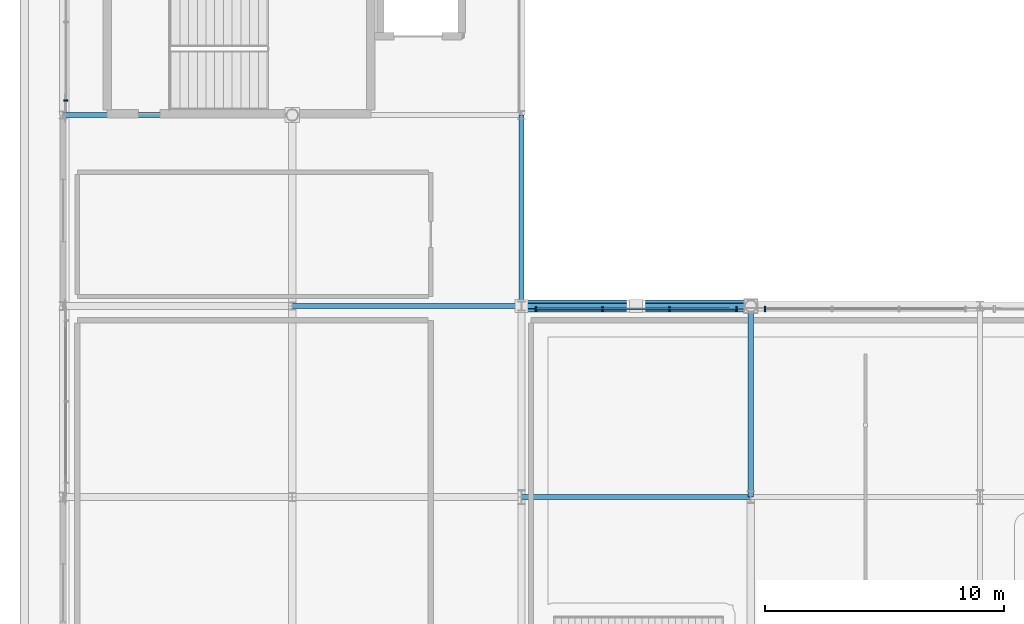
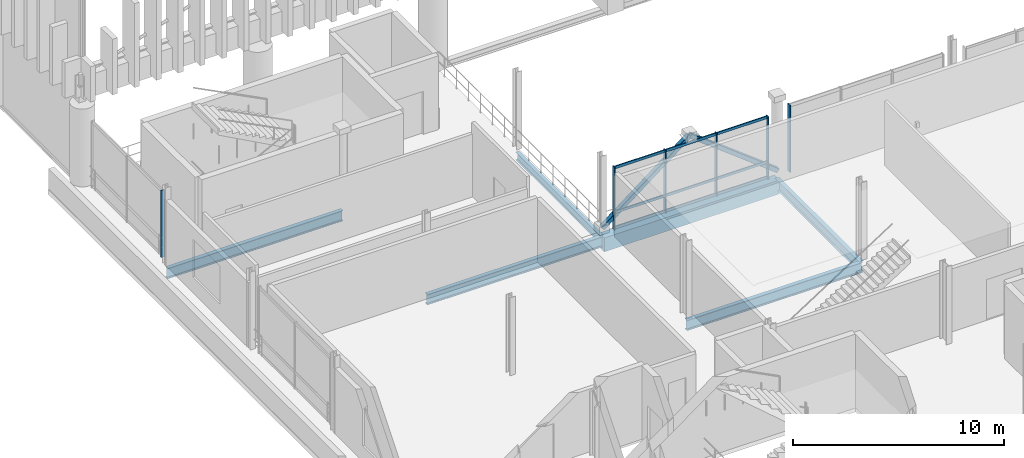
# One storey, part 30 of 193: 11 members, 6 beams, 3 elements without a shape of their own.
"""IFC4 building model written with IfcOpenShell, lengths in metres."""

from ifc_helpers import new_model, si_unit, direction, frame, origin, origin_2d, place, context, subcontext, project, spatial, rectangle, hollow_rectangle, i_section, extrude, material, material_profile, profile_set, type_object, element, aggregate, save


model = new_model("IFC4")

# Units and contexts
model_context = context("Model", 3, precision=1e-05, world=origin(), true_north=direction((0.0, 1.0)))
body_context = subcontext(model_context, "Body", "Model", "MODEL_VIEW")
ifc_project = project(units=[si_unit("LENGTHUNIT", "METRE"), si_unit("AREAUNIT", "SQUARE_METRE"), si_unit("VOLUMEUNIT", "CUBIC_METRE"), si_unit("PLANEANGLEUNIT", "RADIAN"), si_unit("MASSUNIT", "GRAM", prefix="KILO")], contexts=[model_context])

# Site, building, storey
site_placement = place(None, origin())
site = spatial("IfcSite", under=ifc_project, at=site_placement, CompositionType="ELEMENT")
building_placement = place(site_placement, origin())
building = spatial("IfcBuilding", under=site, at=building_placement, Name="Danafjord Basin Convention Centre", CompositionType="ELEMENT")
storey_placement = place(building_placement, frame((0.0, 0.0, 11.39990234375)))
storey = spatial("IfcBuildingStorey", under=building, at=storey_placement, Name="L02", CompositionType="ELEMENT", Elevation=11.39990234375)

# Beams
ifc_material_1 = material(Name="Steel S355", Category="steel")
ifc_material_profile_1 = material_profile(ifc_material_1, i_section(OverallWidth=0.219970703125, OverallDepth=0.60009765625, WebThickness=0.011962890625, FlangeThickness=0.01904296875, FilletRadius=0.02392578125, at=origin_2d()), Name="IPE 600")
ifc_profile_set_1 = profile_set([ifc_material_profile_1], Name="Steel S355")
beam_type_1 = type_object("IfcBeamType", Name="BEAM-BM-IPE600", PredefinedType="BEAM", material=ifc_profile_set_1)
beam_1_placement = place(storey_placement, frame((0.0, 48.0, -0.52978515625), z_axis=(1.0, 0.0, 0.0), x_axis=(0.0, 1.0, 0.0)))
element("IfcBeam", 1, at=beam_1_placement, inside=storey, type_object=beam_type_1, Name="L02 girder BM-IPE600", PredefinedType="BEAM", context=body_context, shape_type="SweptSolid", body=[
    extrude(i_section(OverallWidth=0.219970703125, OverallDepth=0.60009765625, WebThickness=0.011962890625, FlangeThickness=0.01904296875, FilletRadius=0.02392578125, at=origin_2d()), origin(), (0.0, 0.0, 1.0), 9.60009765625),
])
beam_2_placement = place(storey_placement, frame((9.60009765625, 40.0, -0.5498046875), z_axis=(1.0, 0.0, 0.0), x_axis=(0.0, 1.0, 0.0)))
element("IfcBeam", 2, at=beam_2_placement, inside=storey, type_object=beam_type_1, Name="L02 girder BM-IPE600", PredefinedType="BEAM", context=body_context, shape_type="SweptSolid", body=[
    extrude(i_section(OverallWidth=0.219970703125, OverallDepth=0.60009765625, WebThickness=0.011962890625, FlangeThickness=0.01904296875, FilletRadius=0.02392578125, at=origin_2d()), origin(), (0.0, 0.0, 1.0), 9.599853515625),
])
beam_3_placement = place(storey_placement, frame((19.199951171875, 32.0, -0.5498046875), z_axis=(1.0, 0.0, 0.0), x_axis=(0.0, 1.0, 0.0)))
element("IfcBeam", 3, at=beam_3_placement, inside=storey, type_object=beam_type_1, Name="L02 girder BM-IPE600", PredefinedType="BEAM", context=body_context, shape_type="SweptSolid", body=[
    extrude(i_section(OverallWidth=0.219970703125, OverallDepth=0.60009765625, WebThickness=0.011962890625, FlangeThickness=0.01904296875, FilletRadius=0.02392578125, at=origin_2d()), origin(), (0.0, 0.0, 1.0), 9.60009765625),
])
beam_4_placement = place(storey_placement, frame((28.800048828125, 32.0, -0.5498046875), z_axis=(0.0, 1.0, 0.0), x_axis=(-1.0, 0.0, 0.0)))
element("IfcBeam", 4, at=beam_4_placement, inside=storey, type_object=beam_type_1, Name="L02 transverse girder BM-IPE600", PredefinedType="BEAM", context=body_context, shape_type="SweptSolid", body=[
    extrude(i_section(OverallWidth=0.219970703125, OverallDepth=0.60009765625, WebThickness=0.011962890625, FlangeThickness=0.01904296875, FilletRadius=0.02392578125, at=origin_2d()), origin(), (0.0, 0.0, 1.0), 8.0),
])
ifc_material_profile_2 = material_profile(ifc_material_1, i_section(OverallWidth=0.18994140625, OverallDepth=0.449951171875, WebThickness=0.009521484375, FlangeThickness=0.0146484375, FilletRadius=0.02099609375, at=origin_2d()), Name="IPE 450")
ifc_profile_set_2 = profile_set([ifc_material_profile_2], Name="Steel S355")
beam_type_2 = type_object("IfcBeamType", Name="BEAM-SP-IPE450", PredefinedType="SPANDREL", material=ifc_profile_set_2)
beam_5_placement = place(storey_placement, frame((19.199951171875, 40.0, -0.454833984375), z_axis=(0.0, 1.0, 0.0), x_axis=(-1.0, 0.0, 0.0)))
element("IfcBeam", 5, at=beam_5_placement, inside=storey, type_object=beam_type_2, Name="L02 transverse girder SP-IPE450", PredefinedType="SPANDREL", context=body_context, shape_type="SweptSolid", body=[
    extrude(i_section(OverallWidth=0.18994140625, OverallDepth=0.449951171875, WebThickness=0.009521484375, FlangeThickness=0.0146484375, FilletRadius=0.02099609375, at=origin_2d()), origin(), (0.0, 0.0, 1.0), 8.0),
])
ifc_material_2 = material(Name="Precast concrete C45/55", Category="concrete")
ifc_material_profile_3 = material_profile(ifc_material_2, rectangle(XDim=0.5, YDim=0.800048828125, at=origin_2d()), Name="PCB 500x800")
ifc_profile_set_3 = profile_set([ifc_material_profile_3], Name="Precast concrete C45/55")
beam_type_3 = type_object("IfcBeamType", Name="BEAM-SP-PCB800", PredefinedType="SPANDREL", material=ifc_profile_set_3)
beam_6_placement = place(storey_placement, frame((19.199951171875, 40.0, -0.64990234375), z_axis=(1.0, 0.0, 0.0), x_axis=(0.0, 1.0, 0.0)))
element("IfcBeam", 6, at=beam_6_placement, inside=storey, type_object=beam_type_3, Name="L02 girder SP-PCB800", PredefinedType="SPANDREL", context=body_context, shape_type="SweptSolid", body=[
    extrude(rectangle(XDim=0.5, YDim=0.800048828125, at=origin_2d()), origin(), (0.0, 0.0, 1.0), 9.60009765625),
])

# Members
ifc_material_profile_4 = material_profile(ifc_material_1, hollow_rectangle(XDim=0.25, YDim=0.25, WallThickness=0.012451171875, InnerFilletRadius=0.018798828125, OuterFilletRadius=0.03125, at=origin_2d()), Name="SHS 250x250x12.5")
ifc_profile_set_4 = profile_set([ifc_material_profile_4], Name="Steel S355")
member_type_1 = type_object("IfcMemberType", Name="MEM-BRS-250", PredefinedType="BRACE", material=ifc_profile_set_4)
for number, where, z_axis, x_axis, name in (
    (7, (19.199951171875, 40.0, 0.2001953125), (0.79201709571, 0.0, 0.610498910812), (0.0, 1.0, 0.0), "Diagonal brace BRS-250 (L02 braced frame BF-03 diagonal A)"),
    (8, (28.800048828125, 40.0, 0.2001953125), (-0.79201709571, 0.0, 0.610498910812), (0.0, -1.0, 0.0), "Diagonal brace BRS-250 (L02 braced frame BF-03 diagonal B)"),
):
    element("IfcMember", number, at=place(storey_placement, frame(where, z_axis=z_axis, x_axis=x_axis)), inside=storey, type_object=member_type_1, Name=name, PredefinedType="BRACE", context=body_context, shape_type="SweptSolid", body=[
        extrude(hollow_rectangle(XDim=0.25, YDim=0.25, WallThickness=0.012451171875, InnerFilletRadius=0.018798828125, OuterFilletRadius=0.03125, at=origin_2d()), origin(), (0.0, 0.0, 1.0), 6.060546875),
    ])

# Curtain wall, members
ifc_material_3 = material(Name="Anodised aluminium and triple glazing", Category="aluminium")
curtain_wall_type = type_object("IfcCurtainWallType", Name="CW-CW-TERR", PredefinedType="NOTDEFINED", material=ifc_material_3)
curtain_wall_1_placement = place(storey_placement, origin())
curtain_wall_1 = element("IfcCurtainWall", 9, at=curtain_wall_1_placement, inside=storey, type_object=curtain_wall_type, Name="L02 CW-TERR unitised curtain wall bay 61", PredefinedType="NOTDEFINED")
ifc_material_4 = material(Name="Anodised aluminium EN AW-6060", Category="aluminium")
ifc_material_profile_5 = material_profile(ifc_material_4, rectangle(XDim=0.06005859375, YDim=0.179931640625, at=origin_2d()), Name="MULL 60x180")
ifc_profile_set_5 = profile_set([ifc_material_profile_5], Name="Anodised aluminium EN AW-6060")
member_type_2 = type_object("IfcMemberType", Name="MEM-ML-180", PredefinedType="MULLION", material=ifc_profile_set_5)
member_1_placement = place(storey_placement, frame((28.199951171875, 39.8798828125, -0.02490234375), z_axis=(0.0, 0.0, 1.0), x_axis=(-1.0, 0.0, 0.0)))
member_1 = element("IfcMember", 10, at=member_1_placement, type_object=member_type_2, Name="CW-L02-061 mullion 1", PredefinedType="MULLION", context=body_context, shape_type="SweptSolid", body=[
    extrude(rectangle(XDim=0.06005859375, YDim=0.179931640625, at=origin_2d()), origin(), (0.0, 0.0, 1.0), 3.635009765625),
])
member_2_placement = place(storey_placement, frame((25.39990234375, 39.8798828125, -0.02490234375), z_axis=(0.0, 0.0, 1.0), x_axis=(-1.0, 0.0, 0.0)))
member_2 = element("IfcMember", 11, at=member_2_placement, type_object=member_type_2, Name="CW-L02-061 mullion 2", PredefinedType="MULLION", context=body_context, shape_type="SweptSolid", body=[
    extrude(rectangle(XDim=0.06005859375, YDim=0.179931640625, at=origin_2d()), origin(), (0.0, 0.0, 1.0), 3.635009765625),
])
member_3_placement = place(storey_placement, frame((22.60009765625, 39.8798828125, -0.02490234375), z_axis=(0.0, 0.0, 1.0), x_axis=(-1.0, 0.0, 0.0)))
member_3 = element("IfcMember", 12, at=member_3_placement, type_object=member_type_2, Name="CW-L02-061 mullion 3", PredefinedType="MULLION", context=body_context, shape_type="SweptSolid", body=[
    extrude(rectangle(XDim=0.06005859375, YDim=0.179931640625, at=origin_2d()), origin(), (0.0, 0.0, 1.0), 3.635009765625),
])
member_4_placement = place(storey_placement, frame((19.800048828125, 39.8798828125, -0.02490234375), z_axis=(0.0, 0.0, 1.0), x_axis=(-1.0, 0.0, 0.0)))
member_4 = element("IfcMember", 13, at=member_4_placement, type_object=member_type_2, Name="CW-L02-061 mullion 4", PredefinedType="MULLION", context=body_context, shape_type="SweptSolid", body=[
    extrude(rectangle(XDim=0.06005859375, YDim=0.179931640625, at=origin_2d()), origin(), (0.0, 0.0, 1.0), 3.635009765625),
])

# Curtain wall, member
curtain_wall_2_placement = place(storey_placement, origin())
curtain_wall_2 = element("IfcCurtainWall", 14, at=curtain_wall_2_placement, inside=storey, type_object=curtain_wall_type, Name="L02 CW-TERR unitised curtain wall bay 71", PredefinedType="NOTDEFINED")
member_5_placement = place(storey_placement, frame((0.1201171875, 48.60009765625, -0.02490234375), z_axis=(0.0, 0.0, 1.0), x_axis=(0.0, -1.0, 0.0)))
member_5 = element("IfcMember", 15, at=member_5_placement, type_object=member_type_2, Name="CW-L02-071 mullion 3", PredefinedType="MULLION", context=body_context, shape_type="SweptSolid", body=[
    extrude(rectangle(XDim=0.06005859375, YDim=0.179931640625, at=origin_2d()), origin(), (0.0, 0.0, 1.0), 3.885009765625),
])
aggregate(curtain_wall_2, [member_5])

curtain_wall_3_placement = place(storey_placement, origin())
curtain_wall_3 = element("IfcCurtainWall", 16, at=curtain_wall_3_placement, inside=storey, type_object=curtain_wall_type, Name="L02 CW-TERR unitised curtain wall bay 62", PredefinedType="NOTDEFINED")
ifc_material_profile_6 = material_profile(ifc_material_4, rectangle(XDim=0.06494140625, YDim=0.219970703125, at=origin_2d()), Name="MULL 65x220")
ifc_profile_set_6 = profile_set([ifc_material_profile_6], Name="Anodised aluminium EN AW-6060")
member_type_3 = type_object("IfcMemberType", Name="MEM-ML-220", PredefinedType="MULLION", material=ifc_profile_set_6)
member_6_placement = place(storey_placement, frame((29.39990234375, 39.8798828125, -0.02490234375), z_axis=(0.0, 0.0, 1.0), x_axis=(-1.0, 0.0, 0.0)))
member_6 = element("IfcMember", 17, at=member_6_placement, type_object=member_type_3, Name="CW-L02-062 mullion 4", PredefinedType="MULLION", context=body_context, shape_type="SweptSolid", body=[
    extrude(rectangle(XDim=0.06494140625, YDim=0.219970703125, at=origin_2d()), origin(), (0.0, 0.0, 1.0), 3.885009765625),
])
aggregate(curtain_wall_3, [member_6])

# Member
ifc_material_profile_7 = material_profile(ifc_material_4, rectangle(XDim=0.06005859375, YDim=0.14990234375, at=origin_2d()), Name="TRAN 60x150")
ifc_profile_set_7 = profile_set([ifc_material_profile_7], Name="Anodised aluminium EN AW-6060")
member_type_4 = type_object("IfcMemberType", Name="MEM-TR-150", PredefinedType="USERDEFINED", material=ifc_profile_set_7)
member_7_placement = place(storey_placement, frame((28.199951171875, 39.8798828125, 0.06005859375), z_axis=(-1.0, 0.0, 0.0), x_axis=(0.0, -1.0, 0.0)))
member_7 = element("IfcMember", 18, at=member_7_placement, type_object=member_type_4, Name="CW-L02-061 transom 1", ObjectType="TRANSOM", PredefinedType="USERDEFINED", context=body_context, shape_type="SweptSolid", body=[
    extrude(rectangle(XDim=0.06005859375, YDim=0.14990234375, at=origin_2d()), origin(), (0.0, 0.0, 1.0), 8.39990234375),
])

member_8_placement = place(storey_placement, frame((28.199951171875, 39.8798828125, 0.9501953125), z_axis=(-1.0, 0.0, 0.0), x_axis=(0.0, -1.0, 0.0)))
member_8 = element("IfcMember", 19, at=member_8_placement, type_object=member_type_4, Name="CW-L02-061 transom 2", ObjectType="TRANSOM", PredefinedType="USERDEFINED", context=body_context, shape_type="SweptSolid", body=[
    extrude(rectangle(XDim=0.06005859375, YDim=0.14990234375, at=origin_2d()), origin(), (0.0, 0.0, 1.0), 8.39990234375),
])

member_9_placement = place(storey_placement, frame((28.199951171875, 39.8798828125, 3.5400390625), z_axis=(-1.0, 0.0, 0.0), x_axis=(0.0, -1.0, 0.0)))
member_9 = element("IfcMember", 20, at=member_9_placement, type_object=member_type_4, Name="CW-L02-061 transom 3", ObjectType="TRANSOM", PredefinedType="USERDEFINED", context=body_context, shape_type="SweptSolid", body=[
    extrude(rectangle(XDim=0.06005859375, YDim=0.14990234375, at=origin_2d()), origin(), (0.0, 0.0, 1.0), 8.39990234375),
])

aggregate(curtain_wall_1, [member_1, member_2, member_3, member_4, member_7, member_8, member_9])

save(model, "model.ifc")
